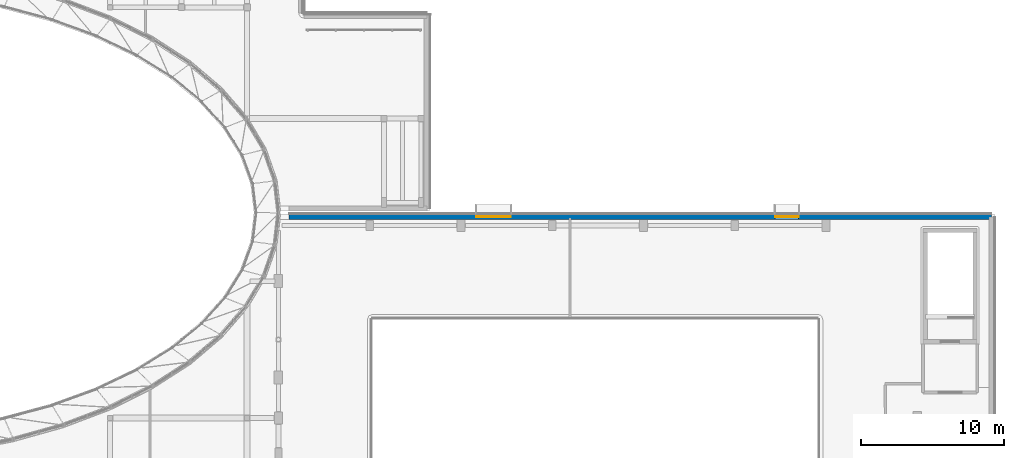
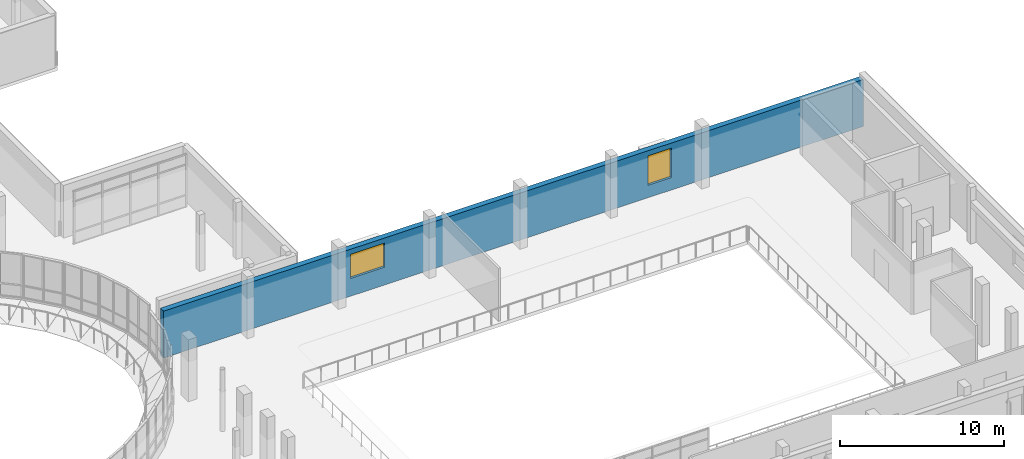
# One storey, part 43 of 73: 2 windows, 1 wall, 2 openings.
"""IFC4 building model written with IfcOpenShell, lengths in metres."""

from ifc_helpers import new_model, si_unit, direction, frame, frame_2d, origin, place, context, subcontext, project, spatial, rectangle, extrude, material, layer, layer_set, type_object, element, fill, save


model = new_model("IFC4")

# Units and contexts
model_context = context("Model", 3, precision=1e-05, world=origin(), true_north=direction((0.0, 1.0)))
body_context = subcontext(model_context, "Body", "Model", "MODEL_VIEW")
ifc_project = project(units=[si_unit("LENGTHUNIT", "METRE"), si_unit("AREAUNIT", "SQUARE_METRE"), si_unit("VOLUMEUNIT", "CUBIC_METRE"), si_unit("PLANEANGLEUNIT", "RADIAN"), si_unit("MASSUNIT", "GRAM", prefix="KILO")], contexts=[model_context])

# Site, building, storey
site_placement = place(None, origin())
site = spatial("IfcSite", under=ifc_project, at=site_placement, CompositionType="ELEMENT")
building_placement = place(site_placement, origin())
building = spatial("IfcBuilding", under=site, at=building_placement, Name="Mzevani Central Library", CompositionType="ELEMENT")
storey_placement = place(building_placement, frame((0.0, 0.0, 9.60009765625)))
storey = spatial("IfcBuildingStorey", under=building, at=storey_placement, Name="L02", CompositionType="ELEMENT", Elevation=9.60009765625)

# Wall, openings, windows
ifc_material_1 = material(Name="Precast concrete C40/50", Category="concrete")
ifc_layer = layer(ifc_material_1, 0.3798828125, Name="Exterior Thermal Concrete Wall 380")
ifc_layer_set = layer_set([ifc_layer], Name="Precast concrete C40/50")
wall_type = type_object("IfcWallType", Name="Exterior Thermal Concrete Wall 380", PredefinedType="STANDARD", material=ifc_layer_set)
wall_placement = place(storey_placement, frame((114.9228515625, 75.7099609375, 0.0), z_axis=(0.0, 0.0, 1.0), x_axis=(1.0, 0.0, 0.0)))
wall = element("IfcWall", 1, at=wall_placement, inside=storey, type_object=wall_type, Name="L02 V1 Exterior Thermal Wall (14)", PredefinedType="STANDARD", context=body_context, shape_type="SweptSolid", body=[
    extrude(rectangle(XDim=49.287109375, YDim=0.3798828125, at=frame_2d((24.6435546875, 0.0))), origin(), (0.0, 0.0, 1.0), 3.5),
])
opening_1_placement = place(wall_placement, frame((13.15771484375, 0.0, 1.320068359375)))
opening_1 = element("IfcOpeningElement", 2, at=opening_1_placement, cuts=wall, Name="Opening W-17", PredefinedType="OPENING", context=body_context, shape_type="SweptSolid", body=[
    extrude(rectangle(XDim=2.39990234375, YDim=1.800048828125, at=frame_2d((1.199951171875, 0.89990234375))), frame((0.0, 0.199951171875, 0.0), z_axis=(0.0, -1.0, 0.0), x_axis=(1.0, 0.0, 0.0)), (0.0, 0.0, 1.0), 0.39990234375),
])
opening_2_placement = place(wall_placement, frame((34.1044921875, 0.0, 0.919921875)))
opening_2 = element("IfcOpeningElement", 3, at=opening_2_placement, cuts=wall, Name="Opening W-13", PredefinedType="OPENING", context=body_context, shape_type="SweptSolid", body=[
    extrude(rectangle(XDim=1.64990234375, YDim=2.199951171875, at=frame_2d((0.824951171875, 1.10009765625))), frame((0.0, 0.199951171875, 0.0), z_axis=(0.0, -1.0, 0.0), x_axis=(1.0, 0.0, 0.0)), (0.0, 0.0, 1.0), 0.39990234375),
])
ifc_material_2 = material(Name="Low-E triple glazing glass", Category="glass")
window_type_1 = type_object("IfcWindowType", Name="Deep Reveal Window 1650x2200", PartitioningType="SINGLE_PANEL", PredefinedType="WINDOW", material=ifc_material_2)
window_1_placement = place(opening_2_placement, origin())
window_1 = element("IfcWindow", 4, at=window_1_placement, inside=storey, type_object=window_type_1, Name="L02 V1 Deep-Reveal Window W-13 (119)", OverallHeight=2.199951171875, OverallWidth=1.64990234375, PartitioningType="SINGLE_PANEL", PredefinedType="WINDOW", context=body_context, shape_type="SweptSolid", body=[
    extrude(rectangle(XDim=1.64990234375, YDim=2.199951171875, at=frame_2d((0.824951171875, 1.10009765625))), frame((0.0, 0.030029296875, 0.0), z_axis=(0.0, -1.0, 0.0), x_axis=(1.0, 0.0, 0.0)), (0.0, 0.0, 1.0), 0.06005859375),
])
fill(opening_2, window_1)
window_type_2 = type_object("IfcWindowType", Name="Reading Clerestory Window 2400x1800", PartitioningType="SINGLE_PANEL", PredefinedType="WINDOW", material=ifc_material_2)
window_2_placement = place(opening_1_placement, origin())
window_2 = element("IfcWindow", 5, at=window_2_placement, inside=storey, type_object=window_type_2, Name="L02 V1 Deep-Reveal Window W-17 (118)", OverallHeight=1.800048828125, OverallWidth=2.39990234375, PartitioningType="SINGLE_PANEL", PredefinedType="WINDOW", context=body_context, shape_type="SweptSolid", body=[
    extrude(rectangle(XDim=2.39990234375, YDim=1.800048828125, at=frame_2d((1.199951171875, 0.89990234375))), frame((0.0, 0.030029296875, 0.0), z_axis=(0.0, -1.0, 0.0), x_axis=(1.0, 0.0, 0.0)), (0.0, 0.0, 1.0), 0.06005859375),
])
fill(opening_1, window_2)

save(model, "model.ifc")
